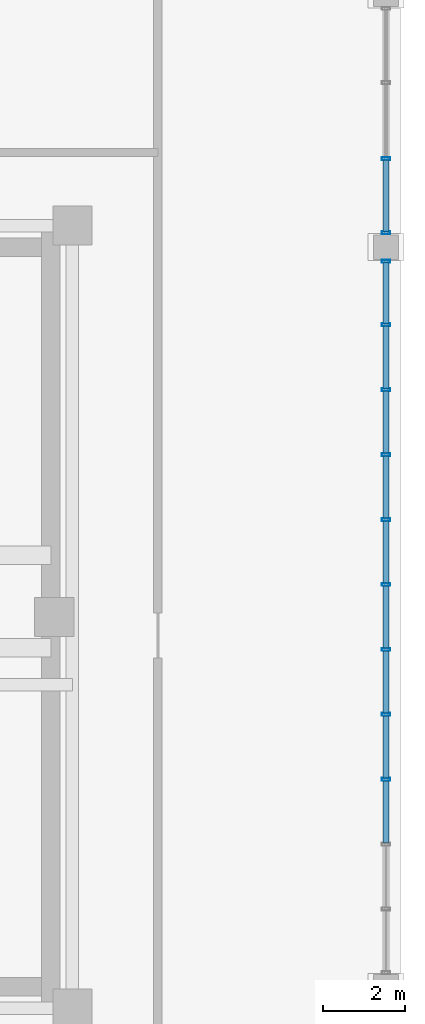
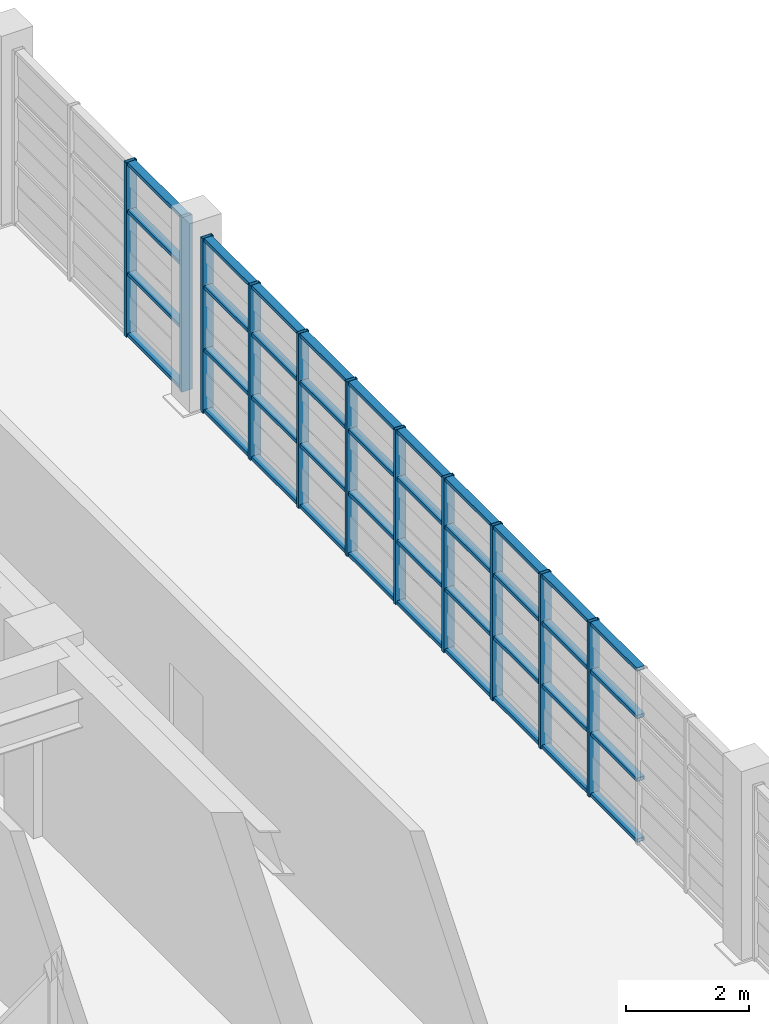
# One storey, part 12 of 24: 51 members, 2 elements without a shape of their own.
"""IFC4 building model written with IfcOpenShell, lengths in metres."""

from ifc_helpers import new_model, si_unit, direction, frame, origin, origin_2d, place, context, subcontext, project, spatial, hollow_rectangle, extrude, source, transform, mapped, material, layer, layer_set, material_profile, profile_set, type_object, element, aggregate, save


model = new_model("IFC4")

# Units and contexts
model_context = context("Model", 3, precision=1e-05, world=origin(), true_north=direction((0.0, 1.0)))
body_context = subcontext(model_context, "Body", "Model", "MODEL_VIEW")
ifc_project = project(units=[si_unit("LENGTHUNIT", "METRE"), si_unit("AREAUNIT", "SQUARE_METRE"), si_unit("VOLUMEUNIT", "CUBIC_METRE"), si_unit("PLANEANGLEUNIT", "RADIAN"), si_unit("MASSUNIT", "GRAM", prefix="KILO")], contexts=[model_context])

# Site, building, storey
site_placement = place(None, origin())
site = spatial("IfcSite", under=ifc_project, at=site_placement, CompositionType="ELEMENT")
building_placement = place(site_placement, origin())
building = spatial("IfcBuilding", under=site, at=building_placement, Name="Saelheon Loggia Tower", CompositionType="ELEMENT")
storey_placement = place(building_placement, frame((0.0, 0.0, 252.199951171875)))
storey = spatial("IfcBuildingStorey", under=building, at=storey_placement, Name="CR1", CompositionType="ELEMENT", Elevation=252.199951171875)

# Curtain wall, members
ifc_material_1 = material(Name="Bronze-Anodised Aluminium and Fritted Ceramic Screen", Category="aluminium")
ifc_layer = layer(ifc_material_1, 0.219970703125)
ifc_layer_set = layer_set([ifc_layer], Name="Bronze-Anodised Aluminium and Fritted Ceramic Screen")
curtain_wall_type = type_object("IfcCurtainWallType", Name="CW_CrownScreen", PredefinedType="NOTDEFINED", material=ifc_layer_set)
curtain_wall_1_placement = place(storey_placement, origin())
curtain_wall_1 = element("IfcCurtainWall", 1, at=curtain_wall_1_placement, inside=storey, type_object=curtain_wall_type, Name="CR1 Crown Screen Curtain Wall 3-2", PredefinedType="NOTDEFINED")
ifc_material_2 = material(Name="Bronze-Anodised Aluminium 6063-T6", Category="aluminium")
ifc_material_profile_1 = material_profile(ifc_material_2, hollow_rectangle(XDim=0.070068359375, YDim=0.199951171875, WallThickness=0.0048828125, at=origin_2d()), Name="RHS-200x70x5")
ifc_profile_set_1 = profile_set([ifc_material_profile_1], Name="Bronze-Anodised Aluminium 6063-T6")
member_type_1 = type_object("IfcMemberType", Name="CW_CrownScreen_Mullion", PredefinedType="MULLION", material=ifc_profile_set_1)
shared_shape_1 = source(origin(), body_context, "Body", "SweptSolid", [
    extrude(hollow_rectangle(XDim=0.070068359375, YDim=0.199951171875, WallThickness=0.0048828125, at=origin_2d()), origin(), (0.0, 0.0, 1.0), 3.47998046875),
])
member_1_placement = place(storey_placement, frame((52.64990234375, 23.050048828125, 0.0), z_axis=(0.0, 0.0, 1.0), x_axis=(0.0, 1.0, 0.0)))
member_1 = element("IfcMember", 2, at=member_1_placement, type_object=member_type_1, Name="CW6 mullion 4", PredefinedType="MULLION", context=body_context, shape_type="MappedRepresentation", body=[
    mapped(shared_shape_1, transform((0.0, 0.0, 0.0), scale=1.0)),
])
member_2_placement = place(storey_placement, frame((52.64990234375, 24.6298828125, 0.0), z_axis=(0.0, 0.0, 1.0), x_axis=(0.0, 1.0, 0.0)))
member_2 = element("IfcMember", 3, at=member_2_placement, type_object=member_type_1, Name="CW6 mullion 5", PredefinedType="MULLION", context=body_context, shape_type="MappedRepresentation", body=[
    mapped(shared_shape_1, transform((0.0, 0.0, 0.0), scale=1.0)),
])
member_3_placement = place(storey_placement, frame((52.64990234375, 26.2099609375, 0.0), z_axis=(0.0, 0.0, 1.0), x_axis=(0.0, 1.0, 0.0)))
member_3 = element("IfcMember", 4, at=member_3_placement, type_object=member_type_1, Name="CW6 mullion 6", PredefinedType="MULLION", context=body_context, shape_type="MappedRepresentation", body=[
    mapped(shared_shape_1, transform((0.0, 0.0, 0.0), scale=1.0)),
])
member_4_placement = place(storey_placement, frame((52.64990234375, 27.7900390625, 0.0), z_axis=(0.0, 0.0, 1.0), x_axis=(0.0, 1.0, 0.0)))
member_4 = element("IfcMember", 5, at=member_4_placement, type_object=member_type_1, Name="CW6 mullion 7", PredefinedType="MULLION", context=body_context, shape_type="MappedRepresentation", body=[
    mapped(shared_shape_1, transform((0.0, 0.0, 0.0), scale=1.0)),
])
member_5_placement = place(storey_placement, frame((52.64990234375, 29.3701171875, 0.0), z_axis=(0.0, 0.0, 1.0), x_axis=(0.0, 1.0, 0.0)))
member_5 = element("IfcMember", 6, at=member_5_placement, type_object=member_type_1, Name="CW6 mullion 8", PredefinedType="MULLION", context=body_context, shape_type="MappedRepresentation", body=[
    mapped(shared_shape_1, transform((0.0, 0.0, 0.0), scale=1.0)),
])
member_6_placement = place(storey_placement, frame((52.64990234375, 30.949951171875, 0.0), z_axis=(0.0, 0.0, 1.0), x_axis=(0.0, 1.0, 0.0)))
member_6 = element("IfcMember", 7, at=member_6_placement, type_object=member_type_1, Name="CW6 mullion 9", PredefinedType="MULLION", context=body_context, shape_type="MappedRepresentation", body=[
    mapped(shared_shape_1, transform((0.0, 0.0, 0.0), scale=1.0)),
])
member_7_placement = place(storey_placement, frame((52.64990234375, 32.530029296875, 0.0), z_axis=(0.0, 0.0, 1.0), x_axis=(0.0, 1.0, 0.0)))
member_7 = element("IfcMember", 8, at=member_7_placement, type_object=member_type_1, Name="CW6 mullion 10", PredefinedType="MULLION", context=body_context, shape_type="MappedRepresentation", body=[
    mapped(shared_shape_1, transform((0.0, 0.0, 0.0), scale=1.0)),
])
member_8_placement = place(storey_placement, frame((52.64990234375, 34.110107421875, 0.0), z_axis=(0.0, 0.0, 1.0), x_axis=(0.0, 1.0, 0.0)))
member_8 = element("IfcMember", 9, at=member_8_placement, type_object=member_type_1, Name="CW6 mullion 11", PredefinedType="MULLION", context=body_context, shape_type="MappedRepresentation", body=[
    mapped(shared_shape_1, transform((0.0, 0.0, 0.0), scale=1.0)),
])
member_9_placement = place(storey_placement, frame((52.64990234375, 35.655029296875, 0.0), z_axis=(0.0, 0.0, 1.0), x_axis=(0.0, 1.0, 0.0)))
member_9 = element("IfcMember", 10, at=member_9_placement, type_object=member_type_1, Name="CW6 mullion 12", PredefinedType="MULLION", context=body_context, shape_type="MappedRepresentation", body=[
    mapped(shared_shape_1, transform((0.0, 0.0, 0.0), scale=1.0)),
])

curtain_wall_2_placement = place(storey_placement, origin())
curtain_wall_2 = element("IfcCurtainWall", 11, at=curtain_wall_2_placement, inside=storey, type_object=curtain_wall_type, Name="CR1 Crown Screen Curtain Wall 3-3", PredefinedType="NOTDEFINED")
member_10_placement = place(storey_placement, frame((52.64990234375, 36.344970703125, 0.0), z_axis=(0.0, 0.0, 1.0), x_axis=(0.0, 1.0, 0.0)))
member_10 = element("IfcMember", 12, at=member_10_placement, type_object=member_type_1, Name="CW6 mullion 1", PredefinedType="MULLION", context=body_context, shape_type="MappedRepresentation", body=[
    mapped(shared_shape_1, transform((0.0, 0.0, 0.0), scale=1.0)),
])
member_11_placement = place(storey_placement, frame((52.64990234375, 38.1533203125, 0.0), z_axis=(0.0, 0.0, 1.0), x_axis=(0.0, 1.0, 0.0)))
member_11 = element("IfcMember", 13, at=member_11_placement, type_object=member_type_1, Name="CW6 mullion 2", PredefinedType="MULLION", context=body_context, shape_type="MappedRepresentation", body=[
    mapped(shared_shape_1, transform((0.0, 0.0, 0.0), scale=1.0)),
])
ifc_material_profile_2 = material_profile(ifc_material_2, hollow_rectangle(XDim=0.070068359375, YDim=0.14990234375, WallThickness=0.0048828125, at=origin_2d()), Name="RHS-150x70x5")
ifc_profile_set_2 = profile_set([ifc_material_profile_2], Name="Bronze-Anodised Aluminium 6063-T6")
member_type_2 = type_object("IfcMemberType", Name="CW_CrownScreen_Transom", PredefinedType="USERDEFINED", material=ifc_profile_set_2)
shared_shape_2 = source(origin(), body_context, "Body", "SweptSolid", [
    extrude(hollow_rectangle(XDim=0.070068359375, YDim=0.14990234375, WallThickness=0.0048828125, at=origin_2d()), origin(), (0.0, 0.0, 1.0), 1.738525390625),
])
member_12_placement = place(storey_placement, frame((52.64990234375, 36.3798828125, 0.03515625), z_axis=(0.0, 1.0, 0.0), x_axis=(0.0, 0.0, 1.0)))
member_12 = element("IfcMember", 14, at=member_12_placement, type_object=member_type_2, Name="CW6 transom 1.1", ObjectType="TRANSOM", PredefinedType="USERDEFINED", context=body_context, shape_type="MappedRepresentation", body=[
    mapped(shared_shape_2, transform((0.0, 0.0, 0.0), scale=1.0)),
])
member_13_placement = place(storey_placement, frame((52.64990234375, 36.3798828125, 1.25), z_axis=(0.0, 1.0, 0.0), x_axis=(0.0, 0.0, 1.0)))
member_13 = element("IfcMember", 15, at=member_13_placement, type_object=member_type_2, Name="CW6 transom 1.2", ObjectType="TRANSOM", PredefinedType="USERDEFINED", context=body_context, shape_type="MappedRepresentation", body=[
    mapped(shared_shape_2, transform((0.0, 0.0, 0.0), scale=1.0)),
])
member_14_placement = place(storey_placement, frame((52.64990234375, 36.3798828125, 2.5), z_axis=(0.0, 1.0, 0.0), x_axis=(0.0, 0.0, 1.0)))
member_14 = element("IfcMember", 16, at=member_14_placement, type_object=member_type_2, Name="CW6 transom 1.3", ObjectType="TRANSOM", PredefinedType="USERDEFINED", context=body_context, shape_type="MappedRepresentation", body=[
    mapped(shared_shape_2, transform((0.0, 0.0, 0.0), scale=1.0)),
])
member_15_placement = place(storey_placement, frame((52.64990234375, 36.3798828125, 3.445068359375), z_axis=(0.0, 1.0, 0.0), x_axis=(0.0, 0.0, 1.0)))
member_15 = element("IfcMember", 17, at=member_15_placement, type_object=member_type_2, Name="CW6 transom 1.4", ObjectType="TRANSOM", PredefinedType="USERDEFINED", context=body_context, shape_type="MappedRepresentation", body=[
    mapped(shared_shape_2, transform((0.0, 0.0, 0.0), scale=1.0)),
])
aggregate(curtain_wall_2, [member_10, member_11, member_12, member_13, member_14, member_15])

# Member
shared_shape_3 = source(origin(), body_context, "Body", "SweptSolid", [
    extrude(hollow_rectangle(XDim=0.070068359375, YDim=0.14990234375, WallThickness=0.0048828125, at=origin_2d()), origin(), (0.0, 0.0, 1.0), 1.47509765625),
])
member_16_placement = place(storey_placement, frame((52.64990234375, 34.14501953125, 0.03515625), z_axis=(0.0, 1.0, 0.0), x_axis=(0.0, 0.0, 1.0)))
member_16 = element("IfcMember", 18, at=member_16_placement, type_object=member_type_2, Name="CW6 transom 11.1", ObjectType="TRANSOM", PredefinedType="USERDEFINED", context=body_context, shape_type="MappedRepresentation", body=[
    mapped(shared_shape_3, transform((0.0, 0.0, 0.0), scale=1.0)),
])

member_17_placement = place(storey_placement, frame((52.64990234375, 34.14501953125, 1.25), z_axis=(0.0, 1.0, 0.0), x_axis=(0.0, 0.0, 1.0)))
member_17 = element("IfcMember", 19, at=member_17_placement, type_object=member_type_2, Name="CW6 transom 11.2", ObjectType="TRANSOM", PredefinedType="USERDEFINED", context=body_context, shape_type="MappedRepresentation", body=[
    mapped(shared_shape_3, transform((0.0, 0.0, 0.0), scale=1.0)),
])

member_18_placement = place(storey_placement, frame((52.64990234375, 34.14501953125, 2.5), z_axis=(0.0, 1.0, 0.0), x_axis=(0.0, 0.0, 1.0)))
member_18 = element("IfcMember", 20, at=member_18_placement, type_object=member_type_2, Name="CW6 transom 11.3", ObjectType="TRANSOM", PredefinedType="USERDEFINED", context=body_context, shape_type="MappedRepresentation", body=[
    mapped(shared_shape_3, transform((0.0, 0.0, 0.0), scale=1.0)),
])

member_19_placement = place(storey_placement, frame((52.64990234375, 34.14501953125, 3.445068359375), z_axis=(0.0, 1.0, 0.0), x_axis=(0.0, 0.0, 1.0)))
member_19 = element("IfcMember", 21, at=member_19_placement, type_object=member_type_2, Name="CW6 transom 11.4", ObjectType="TRANSOM", PredefinedType="USERDEFINED", context=body_context, shape_type="MappedRepresentation", body=[
    mapped(shared_shape_3, transform((0.0, 0.0, 0.0), scale=1.0)),
])

shared_shape_4 = source(origin(), body_context, "Body", "SweptSolid", [
    extrude(hollow_rectangle(XDim=0.070068359375, YDim=0.14990234375, WallThickness=0.0048828125, at=origin_2d()), origin(), (0.0, 0.0, 1.0), 1.510009765625),
])
member_20_placement = place(storey_placement, frame((52.64990234375, 21.5048828125, 0.03515625), z_axis=(0.0, 1.0, 0.0), x_axis=(0.0, 0.0, 1.0)))
member_20 = element("IfcMember", 22, at=member_20_placement, type_object=member_type_2, Name="CW6 transom 3.1", ObjectType="TRANSOM", PredefinedType="USERDEFINED", context=body_context, shape_type="MappedRepresentation", body=[
    mapped(shared_shape_4, transform((0.0, 0.0, 0.0), scale=1.0)),
])

member_21_placement = place(storey_placement, frame((52.64990234375, 21.5048828125, 1.25), z_axis=(0.0, 1.0, 0.0), x_axis=(0.0, 0.0, 1.0)))
member_21 = element("IfcMember", 23, at=member_21_placement, type_object=member_type_2, Name="CW6 transom 3.2", ObjectType="TRANSOM", PredefinedType="USERDEFINED", context=body_context, shape_type="MappedRepresentation", body=[
    mapped(shared_shape_4, transform((0.0, 0.0, 0.0), scale=1.0)),
])

member_22_placement = place(storey_placement, frame((52.64990234375, 21.5048828125, 2.5), z_axis=(0.0, 1.0, 0.0), x_axis=(0.0, 0.0, 1.0)))
member_22 = element("IfcMember", 24, at=member_22_placement, type_object=member_type_2, Name="CW6 transom 3.3", ObjectType="TRANSOM", PredefinedType="USERDEFINED", context=body_context, shape_type="MappedRepresentation", body=[
    mapped(shared_shape_4, transform((0.0, 0.0, 0.0), scale=1.0)),
])

member_23_placement = place(storey_placement, frame((52.64990234375, 21.5048828125, 3.445068359375), z_axis=(0.0, 1.0, 0.0), x_axis=(0.0, 0.0, 1.0)))
member_23 = element("IfcMember", 25, at=member_23_placement, type_object=member_type_2, Name="CW6 transom 3.4", ObjectType="TRANSOM", PredefinedType="USERDEFINED", context=body_context, shape_type="MappedRepresentation", body=[
    mapped(shared_shape_4, transform((0.0, 0.0, 0.0), scale=1.0)),
])

member_24_placement = place(storey_placement, frame((52.64990234375, 23.0849609375, 0.03515625), z_axis=(0.0, 1.0, 0.0), x_axis=(0.0, 0.0, 1.0)))
member_24 = element("IfcMember", 26, at=member_24_placement, type_object=member_type_2, Name="CW6 transom 4.1", ObjectType="TRANSOM", PredefinedType="USERDEFINED", context=body_context, shape_type="MappedRepresentation", body=[
    mapped(shared_shape_4, transform((0.0, 0.0, 0.0), scale=1.0)),
])

member_25_placement = place(storey_placement, frame((52.64990234375, 23.0849609375, 1.25), z_axis=(0.0, 1.0, 0.0), x_axis=(0.0, 0.0, 1.0)))
member_25 = element("IfcMember", 27, at=member_25_placement, type_object=member_type_2, Name="CW6 transom 4.2", ObjectType="TRANSOM", PredefinedType="USERDEFINED", context=body_context, shape_type="MappedRepresentation", body=[
    mapped(shared_shape_4, transform((0.0, 0.0, 0.0), scale=1.0)),
])

member_26_placement = place(storey_placement, frame((52.64990234375, 23.0849609375, 2.5), z_axis=(0.0, 1.0, 0.0), x_axis=(0.0, 0.0, 1.0)))
member_26 = element("IfcMember", 28, at=member_26_placement, type_object=member_type_2, Name="CW6 transom 4.3", ObjectType="TRANSOM", PredefinedType="USERDEFINED", context=body_context, shape_type="MappedRepresentation", body=[
    mapped(shared_shape_4, transform((0.0, 0.0, 0.0), scale=1.0)),
])

member_27_placement = place(storey_placement, frame((52.64990234375, 23.0849609375, 3.445068359375), z_axis=(0.0, 1.0, 0.0), x_axis=(0.0, 0.0, 1.0)))
member_27 = element("IfcMember", 29, at=member_27_placement, type_object=member_type_2, Name="CW6 transom 4.4", ObjectType="TRANSOM", PredefinedType="USERDEFINED", context=body_context, shape_type="MappedRepresentation", body=[
    mapped(shared_shape_4, transform((0.0, 0.0, 0.0), scale=1.0)),
])

member_28_placement = place(storey_placement, frame((52.64990234375, 24.6650390625, 0.03515625), z_axis=(0.0, 1.0, 0.0), x_axis=(0.0, 0.0, 1.0)))
member_28 = element("IfcMember", 30, at=member_28_placement, type_object=member_type_2, Name="CW6 transom 5.1", ObjectType="TRANSOM", PredefinedType="USERDEFINED", context=body_context, shape_type="MappedRepresentation", body=[
    mapped(shared_shape_4, transform((0.0, 0.0, 0.0), scale=1.0)),
])

member_29_placement = place(storey_placement, frame((52.64990234375, 24.6650390625, 1.25), z_axis=(0.0, 1.0, 0.0), x_axis=(0.0, 0.0, 1.0)))
member_29 = element("IfcMember", 31, at=member_29_placement, type_object=member_type_2, Name="CW6 transom 5.2", ObjectType="TRANSOM", PredefinedType="USERDEFINED", context=body_context, shape_type="MappedRepresentation", body=[
    mapped(shared_shape_4, transform((0.0, 0.0, 0.0), scale=1.0)),
])

member_30_placement = place(storey_placement, frame((52.64990234375, 24.6650390625, 2.5), z_axis=(0.0, 1.0, 0.0), x_axis=(0.0, 0.0, 1.0)))
member_30 = element("IfcMember", 32, at=member_30_placement, type_object=member_type_2, Name="CW6 transom 5.3", ObjectType="TRANSOM", PredefinedType="USERDEFINED", context=body_context, shape_type="MappedRepresentation", body=[
    mapped(shared_shape_4, transform((0.0, 0.0, 0.0), scale=1.0)),
])

member_31_placement = place(storey_placement, frame((52.64990234375, 24.6650390625, 3.445068359375), z_axis=(0.0, 1.0, 0.0), x_axis=(0.0, 0.0, 1.0)))
member_31 = element("IfcMember", 33, at=member_31_placement, type_object=member_type_2, Name="CW6 transom 5.4", ObjectType="TRANSOM", PredefinedType="USERDEFINED", context=body_context, shape_type="MappedRepresentation", body=[
    mapped(shared_shape_4, transform((0.0, 0.0, 0.0), scale=1.0)),
])

member_32_placement = place(storey_placement, frame((52.64990234375, 27.824951171875, 0.03515625), z_axis=(0.0, 1.0, 0.0), x_axis=(0.0, 0.0, 1.0)))
member_32 = element("IfcMember", 34, at=member_32_placement, type_object=member_type_2, Name="CW6 transom 7.1", ObjectType="TRANSOM", PredefinedType="USERDEFINED", context=body_context, shape_type="MappedRepresentation", body=[
    mapped(shared_shape_4, transform((0.0, 0.0, 0.0), scale=1.0)),
])

member_33_placement = place(storey_placement, frame((52.64990234375, 27.824951171875, 1.25), z_axis=(0.0, 1.0, 0.0), x_axis=(0.0, 0.0, 1.0)))
member_33 = element("IfcMember", 35, at=member_33_placement, type_object=member_type_2, Name="CW6 transom 7.2", ObjectType="TRANSOM", PredefinedType="USERDEFINED", context=body_context, shape_type="MappedRepresentation", body=[
    mapped(shared_shape_4, transform((0.0, 0.0, 0.0), scale=1.0)),
])

member_34_placement = place(storey_placement, frame((52.64990234375, 27.824951171875, 2.5), z_axis=(0.0, 1.0, 0.0), x_axis=(0.0, 0.0, 1.0)))
member_34 = element("IfcMember", 36, at=member_34_placement, type_object=member_type_2, Name="CW6 transom 7.3", ObjectType="TRANSOM", PredefinedType="USERDEFINED", context=body_context, shape_type="MappedRepresentation", body=[
    mapped(shared_shape_4, transform((0.0, 0.0, 0.0), scale=1.0)),
])

member_35_placement = place(storey_placement, frame((52.64990234375, 27.824951171875, 3.445068359375), z_axis=(0.0, 1.0, 0.0), x_axis=(0.0, 0.0, 1.0)))
member_35 = element("IfcMember", 37, at=member_35_placement, type_object=member_type_2, Name="CW6 transom 7.4", ObjectType="TRANSOM", PredefinedType="USERDEFINED", context=body_context, shape_type="MappedRepresentation", body=[
    mapped(shared_shape_4, transform((0.0, 0.0, 0.0), scale=1.0)),
])

member_36_placement = place(storey_placement, frame((52.64990234375, 29.405029296875, 0.03515625), z_axis=(0.0, 1.0, 0.0), x_axis=(0.0, 0.0, 1.0)))
member_36 = element("IfcMember", 38, at=member_36_placement, type_object=member_type_2, Name="CW6 transom 8.1", ObjectType="TRANSOM", PredefinedType="USERDEFINED", context=body_context, shape_type="MappedRepresentation", body=[
    mapped(shared_shape_4, transform((0.0, 0.0, 0.0), scale=1.0)),
])

member_37_placement = place(storey_placement, frame((52.64990234375, 29.405029296875, 1.25), z_axis=(0.0, 1.0, 0.0), x_axis=(0.0, 0.0, 1.0)))
member_37 = element("IfcMember", 39, at=member_37_placement, type_object=member_type_2, Name="CW6 transom 8.2", ObjectType="TRANSOM", PredefinedType="USERDEFINED", context=body_context, shape_type="MappedRepresentation", body=[
    mapped(shared_shape_4, transform((0.0, 0.0, 0.0), scale=1.0)),
])

member_38_placement = place(storey_placement, frame((52.64990234375, 29.405029296875, 2.5), z_axis=(0.0, 1.0, 0.0), x_axis=(0.0, 0.0, 1.0)))
member_38 = element("IfcMember", 40, at=member_38_placement, type_object=member_type_2, Name="CW6 transom 8.3", ObjectType="TRANSOM", PredefinedType="USERDEFINED", context=body_context, shape_type="MappedRepresentation", body=[
    mapped(shared_shape_4, transform((0.0, 0.0, 0.0), scale=1.0)),
])

member_39_placement = place(storey_placement, frame((52.64990234375, 29.405029296875, 3.445068359375), z_axis=(0.0, 1.0, 0.0), x_axis=(0.0, 0.0, 1.0)))
member_39 = element("IfcMember", 41, at=member_39_placement, type_object=member_type_2, Name="CW6 transom 8.4", ObjectType="TRANSOM", PredefinedType="USERDEFINED", context=body_context, shape_type="MappedRepresentation", body=[
    mapped(shared_shape_4, transform((0.0, 0.0, 0.0), scale=1.0)),
])

member_40_placement = place(storey_placement, frame((52.64990234375, 30.985107421875, 0.03515625), z_axis=(0.0, 1.0, 0.0), x_axis=(0.0, 0.0, 1.0)))
member_40 = element("IfcMember", 42, at=member_40_placement, type_object=member_type_2, Name="CW6 transom 9.1", ObjectType="TRANSOM", PredefinedType="USERDEFINED", context=body_context, shape_type="MappedRepresentation", body=[
    mapped(shared_shape_4, transform((0.0, 0.0, 0.0), scale=1.0)),
])

member_41_placement = place(storey_placement, frame((52.64990234375, 30.985107421875, 1.25), z_axis=(0.0, 1.0, 0.0), x_axis=(0.0, 0.0, 1.0)))
member_41 = element("IfcMember", 43, at=member_41_placement, type_object=member_type_2, Name="CW6 transom 9.2", ObjectType="TRANSOM", PredefinedType="USERDEFINED", context=body_context, shape_type="MappedRepresentation", body=[
    mapped(shared_shape_4, transform((0.0, 0.0, 0.0), scale=1.0)),
])

member_42_placement = place(storey_placement, frame((52.64990234375, 30.985107421875, 2.5), z_axis=(0.0, 1.0, 0.0), x_axis=(0.0, 0.0, 1.0)))
member_42 = element("IfcMember", 44, at=member_42_placement, type_object=member_type_2, Name="CW6 transom 9.3", ObjectType="TRANSOM", PredefinedType="USERDEFINED", context=body_context, shape_type="MappedRepresentation", body=[
    mapped(shared_shape_4, transform((0.0, 0.0, 0.0), scale=1.0)),
])

member_43_placement = place(storey_placement, frame((52.64990234375, 30.985107421875, 3.445068359375), z_axis=(0.0, 1.0, 0.0), x_axis=(0.0, 0.0, 1.0)))
member_43 = element("IfcMember", 45, at=member_43_placement, type_object=member_type_2, Name="CW6 transom 9.4", ObjectType="TRANSOM", PredefinedType="USERDEFINED", context=body_context, shape_type="MappedRepresentation", body=[
    mapped(shared_shape_4, transform((0.0, 0.0, 0.0), scale=1.0)),
])

member_44_placement = place(storey_placement, frame((52.64990234375, 32.56494140625, 0.03515625), z_axis=(0.0, 1.0, 0.0), x_axis=(0.0, 0.0, 1.0)))
member_44 = element("IfcMember", 46, at=member_44_placement, type_object=member_type_2, Name="CW6 transom 10.1", ObjectType="TRANSOM", PredefinedType="USERDEFINED", context=body_context, shape_type="MappedRepresentation", body=[
    mapped(shared_shape_4, transform((0.0, 0.0, 0.0), scale=1.0)),
])

member_45_placement = place(storey_placement, frame((52.64990234375, 32.56494140625, 1.25), z_axis=(0.0, 1.0, 0.0), x_axis=(0.0, 0.0, 1.0)))
member_45 = element("IfcMember", 47, at=member_45_placement, type_object=member_type_2, Name="CW6 transom 10.2", ObjectType="TRANSOM", PredefinedType="USERDEFINED", context=body_context, shape_type="MappedRepresentation", body=[
    mapped(shared_shape_4, transform((0.0, 0.0, 0.0), scale=1.0)),
])

member_46_placement = place(storey_placement, frame((52.64990234375, 32.56494140625, 2.5), z_axis=(0.0, 1.0, 0.0), x_axis=(0.0, 0.0, 1.0)))
member_46 = element("IfcMember", 48, at=member_46_placement, type_object=member_type_2, Name="CW6 transom 10.3", ObjectType="TRANSOM", PredefinedType="USERDEFINED", context=body_context, shape_type="MappedRepresentation", body=[
    mapped(shared_shape_4, transform((0.0, 0.0, 0.0), scale=1.0)),
])

member_47_placement = place(storey_placement, frame((52.64990234375, 32.56494140625, 3.445068359375), z_axis=(0.0, 1.0, 0.0), x_axis=(0.0, 0.0, 1.0)))
member_47 = element("IfcMember", 49, at=member_47_placement, type_object=member_type_2, Name="CW6 transom 10.4", ObjectType="TRANSOM", PredefinedType="USERDEFINED", context=body_context, shape_type="MappedRepresentation", body=[
    mapped(shared_shape_4, transform((0.0, 0.0, 0.0), scale=1.0)),
])

shared_shape_5 = source(origin(), body_context, "Body", "SweptSolid", [
    extrude(hollow_rectangle(XDim=0.070068359375, YDim=0.14990234375, WallThickness=0.0048828125, at=origin_2d()), origin(), (0.0, 0.0, 1.0), 1.509765625),
])
member_48_placement = place(storey_placement, frame((52.64990234375, 26.2451171875, 0.03515625), z_axis=(0.0, 1.0, 0.0), x_axis=(0.0, 0.0, 1.0)))
member_48 = element("IfcMember", 50, at=member_48_placement, type_object=member_type_2, Name="CW6 transom 6.1", ObjectType="TRANSOM", PredefinedType="USERDEFINED", context=body_context, shape_type="MappedRepresentation", body=[
    mapped(shared_shape_5, transform((0.0, 0.0, 0.0), scale=1.0)),
])

member_49_placement = place(storey_placement, frame((52.64990234375, 26.2451171875, 1.25), z_axis=(0.0, 1.0, 0.0), x_axis=(0.0, 0.0, 1.0)))
member_49 = element("IfcMember", 51, at=member_49_placement, type_object=member_type_2, Name="CW6 transom 6.2", ObjectType="TRANSOM", PredefinedType="USERDEFINED", context=body_context, shape_type="MappedRepresentation", body=[
    mapped(shared_shape_5, transform((0.0, 0.0, 0.0), scale=1.0)),
])

member_50_placement = place(storey_placement, frame((52.64990234375, 26.2451171875, 2.5), z_axis=(0.0, 1.0, 0.0), x_axis=(0.0, 0.0, 1.0)))
member_50 = element("IfcMember", 52, at=member_50_placement, type_object=member_type_2, Name="CW6 transom 6.3", ObjectType="TRANSOM", PredefinedType="USERDEFINED", context=body_context, shape_type="MappedRepresentation", body=[
    mapped(shared_shape_5, transform((0.0, 0.0, 0.0), scale=1.0)),
])

member_51_placement = place(storey_placement, frame((52.64990234375, 26.2451171875, 3.445068359375), z_axis=(0.0, 1.0, 0.0), x_axis=(0.0, 0.0, 1.0)))
member_51 = element("IfcMember", 53, at=member_51_placement, type_object=member_type_2, Name="CW6 transom 6.4", ObjectType="TRANSOM", PredefinedType="USERDEFINED", context=body_context, shape_type="MappedRepresentation", body=[
    mapped(shared_shape_5, transform((0.0, 0.0, 0.0), scale=1.0)),
])

aggregate(curtain_wall_1, [member_1, member_2, member_3, member_4, member_5, member_6, member_7, member_8, member_9, member_20, member_21, member_22, member_23, member_24, member_25, member_26, member_27, member_28, member_29, member_30, member_31, member_48, member_49, member_50, member_51, member_32, member_33, member_34, member_35, member_36, member_37, member_38, member_39, member_40, member_41, member_42, member_43, member_44, member_45, member_46, member_47, member_16, member_17, member_18, member_19])

save(model, "model.ifc")
